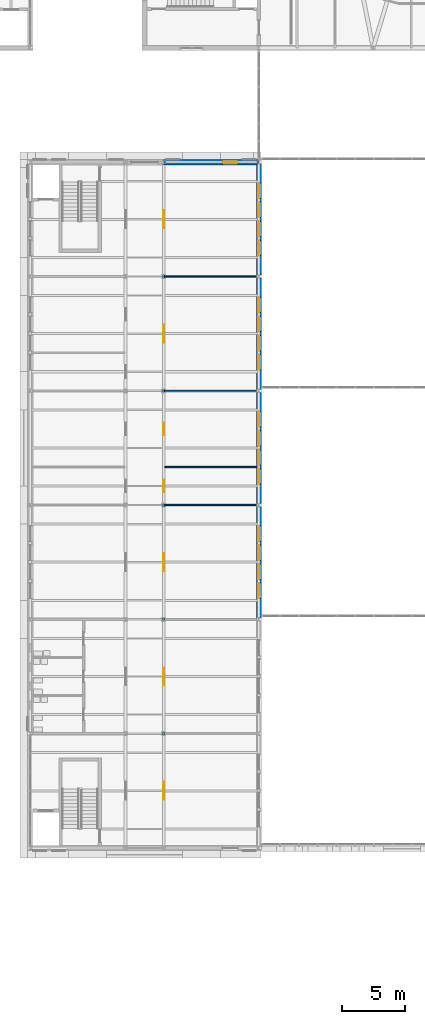
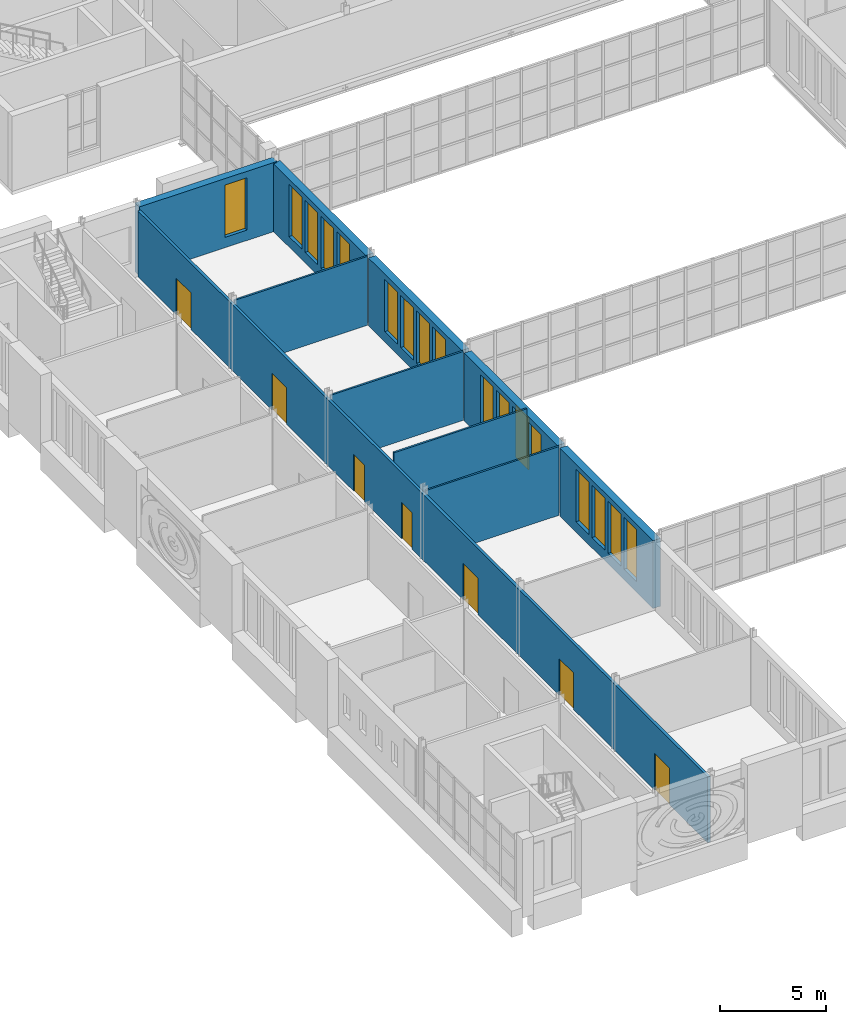
# One storey, part 78 of 131: 17 windows, 10 walls, 7 doors, 24 openings.
"""IFC4 building model written with IfcOpenShell, lengths in metres."""

import ifcopenshell
import ifcopenshell.guid

model = None  # the IFC model being written
_history = None  # IfcOwnerHistory: only IFC2X3 demands one
_inside = {}  # id of a spatial element -> (the spatial element, [elements in it])
_under = {}  # id of a project, library or spatial element -> (it, [spatial elements below it])
_declared = {}  # id of a project -> (the project, [libraries it declares])
_typed = {}  # id of a type object -> (the type object, [elements of that type])
_made_of = {}  # id of a material, layer set ... -> (it, [elements and type objects made of it])


def new_model(schema):
    """Start an empty IFC model of exactly this schema.

    Asked for "IFC4X3", IfcOpenShell would pick the latest addendum, in which some entities
    have other attributes; the version numbers below select the first issue.
    IFC2X3 requires an IfcOwnerHistory on every rooted entity: one is made here for all.
    """
    global model, _history
    if schema == "IFC4X3":
        model = ifcopenshell.file(schema_version=(4, 3, 0, 0))
    else:
        model = ifcopenshell.file(schema=schema)
    _inside.clear()
    _under.clear()
    _declared.clear()
    _typed.clear()
    _made_of.clear()
    _history = None
    if model.schema == "IFC2X3":
        org = make("IfcOrganization", Name="unknown")
        user = make(
            "IfcPersonAndOrganization",
            ThePerson=make("IfcPerson", FamilyName="unknown"),
            TheOrganization=org,
        )
        app = make(
            "IfcApplication",
            ApplicationDeveloper=org,
            Version="unknown",
            ApplicationFullName="unknown",
            ApplicationIdentifier="unknown",
        )
        _history = make(
            "IfcOwnerHistory",
            OwningUser=user,
            OwningApplication=app,
            ChangeAction="ADDED",
            CreationDate=0,
        )
    return model


def make(cls, **values):
    """One entity of the class cls with the attributes given. An attribute that is None is left unset."""
    return model.create_entity(
        cls, **{name: value for name, value in values.items() if value is not None}
    )


def rooted(cls, **values):
    """An entity with a GlobalId (a new one), such as an element, a storey or a relation."""
    return make(cls, GlobalId=ifcopenshell.guid.new(), OwnerHistory=_history, **values)


def si_unit(unit_type, name, prefix=None):
    """IfcSIUnit, for example si_unit("LENGTHUNIT", "METRE", prefix="MILLI")."""
    return make("IfcSIUnit", UnitType=unit_type, Prefix=prefix, Name=name)


def assignment(units):
    """IfcUnitAssignment: the units of a project."""
    return None if units is None else make("IfcUnitAssignment", Units=units)


def point(xyz):
    """IfcCartesianPoint."""
    return None if xyz is None else make("IfcCartesianPoint", Coordinates=xyz)


def direction(xyz):
    """IfcDirection."""
    return None if xyz is None else make("IfcDirection", DirectionRatios=xyz)


def frame(location, z_axis=None, x_axis=None):
    """IfcAxis2Placement3D, a coordinate frame: its origin and axes. An axis left out is left unset."""
    return make(
        "IfcAxis2Placement3D",
        Location=point(location),
        Axis=direction(z_axis),
        RefDirection=direction(x_axis),
    )


def frame_2d(location, x_axis=None):
    """IfcAxis2Placement2D, a coordinate frame in the plane: its origin and x axis."""
    return make(
        "IfcAxis2Placement2D", Location=point(location), RefDirection=direction(x_axis)
    )


def origin():
    """The frame at (0, 0, 0) with its axes left unset."""
    return frame((0.0, 0.0, 0.0))


def place(relative_to, where):
    """IfcLocalPlacement: puts the frame where relative to a parent placement (None: the world)."""
    return make(
        "IfcLocalPlacement", PlacementRelTo=relative_to, RelativePlacement=where
    )


def context(
    kind, dimensions, precision=None, world=None, true_north=None, identifier=None
):
    """IfcGeometricRepresentationContext, for example the 3D "Model" context."""
    return make(
        "IfcGeometricRepresentationContext",
        ContextIdentifier=identifier,
        ContextType=kind,
        CoordinateSpaceDimension=dimensions,
        Precision=precision,
        WorldCoordinateSystem=world,
        TrueNorth=true_north,
    )


def subcontext(parent, identifier, kind, view, scale=None):
    """IfcGeometricRepresentationSubContext, for example "Body" below "Model"."""
    return make(
        "IfcGeometricRepresentationSubContext",
        ContextIdentifier=identifier,
        ContextType=kind,
        ParentContext=parent,
        TargetScale=scale,
        TargetView=view,
    )


def project(units=None, contexts=None):
    """IfcProject with its units and contexts."""
    return rooted(
        "IfcProject",
        Name="project",
        RepresentationContexts=contexts,
        UnitsInContext=assignment(units),
    )


def spatial(cls, under=None, at=None, **own):
    """A site, building, storey or space (cls), placed at a placement, below another one or the project."""
    s = rooted(cls, ObjectPlacement=at, **own)
    if under is not None:
        _under.setdefault(under.id(), (under, []))[1].append(s)
    return s


def profile(cls, at=None, kind="AREA", **sizes):
    """A parametric profile (cls). Its sizes go by their IFC names, for example OverallWidth=200.0."""
    return make(cls, ProfileType=kind, Position=at, **sizes)


def rectangle(**sizes):
    """IfcRectangleProfileDef."""
    return profile("IfcRectangleProfileDef", **sizes)


def extrude(swept, where, along, depth):
    """IfcExtrudedAreaSolid: the profile swept, set in the frame where, extruded along a direction by depth."""
    return make(
        "IfcExtrudedAreaSolid",
        SweptArea=swept,
        Position=where,
        ExtrudedDirection=direction(along),
        Depth=depth,
    )


def shape(context_of_items, identifier, shape_type, items):
    """IfcShapeRepresentation: the items that make up one representation, for example the "Body"."""
    return make(
        "IfcShapeRepresentation",
        ContextOfItems=context_of_items,
        RepresentationIdentifier=identifier,
        RepresentationType=shape_type,
        Items=items,
    )


def material(Name=None, Category=None):
    """IfcMaterial."""
    return make("IfcMaterial", Name=Name, Category=Category)


def layer(
    of_material, thickness, ventilated=None, Name=None, Category=None, Priority=None
):
    """IfcMaterialLayer: one layer of a wall or slab, of a material (None: an air gap)."""
    return make(
        "IfcMaterialLayer",
        Material=of_material,
        LayerThickness=thickness,
        IsVentilated=ventilated,
        Name=Name,
        Category=Category,
        Priority=Priority,
    )


def layer_set(layers, Name=None):
    """IfcMaterialLayerSet."""
    return make("IfcMaterialLayerSet", MaterialLayers=layers, LayerSetName=Name)


def made_of(thing, what):
    """Note that an element or type object is made of a material, layer set ...; save() writes the relation."""
    if what is not None:
        _made_of.setdefault(what.id(), (what, []))[1].append(thing)
    return thing


def type_object(cls, material=None, **own):
    """A type object (cls), such as IfcWallType, which elements share."""
    return made_of(rooted(cls, **own), material)


def element(
    cls,
    number,
    at=None,
    inside=None,
    cuts=None,
    type_object=None,
    material=None,
    context=None,
    identifier="Body",
    shape_type=None,
    held_by="IfcProductDefinitionShape",
    body=None,
    shapes=None,
    **own,
):
    """One element of the class cls, such as IfcWall. Its Tag is "e" and its number.

    at: its placement. inside: the storey or other place that contains it. cuts: it is an
    opening in that element (IfcRelVoidsElement). A single representation is given by context,
    identifier, shape_type and body (its items); several are given by shapes. held_by: the class
    of the entity that holds the representations. save() writes the other relations.
    """
    e = rooted(cls, Tag="e%d" % number, ObjectPlacement=at, **own)
    if body is not None:
        shapes = [shape(context, identifier, shape_type, body)]
    if shapes is not None:
        e.Representation = make(held_by, Representations=shapes)
    if inside is not None:
        _inside.setdefault(inside.id(), (inside, []))[1].append(e)
    if cuts is not None:
        rooted(
            "IfcRelVoidsElement", RelatingBuildingElement=cuts, RelatedOpeningElement=e
        )
    if type_object is not None:
        _typed.setdefault(type_object.id(), (type_object, []))[1].append(e)
    return made_of(e, material)


def fill(opening, filler):
    """IfcRelFillsElement: the door or window that sits in an opening."""
    return rooted(
        "IfcRelFillsElement",
        RelatingOpeningElement=opening,
        RelatedBuildingElement=filler,
    )


def aggregate(whole, parts):
    """IfcRelAggregates: a whole, such as a stair, and the parts it consists of."""
    return rooted("IfcRelAggregates", RelatingObject=whole, RelatedObjects=parts)


def save(model, path):
    """Write the relations noted so far, then the file.

    IfcRelAggregates (storeys below a building ...), IfcRelContainedInSpatialStructure (elements
    in a storey), IfcRelDefinesByType, IfcRelAssociatesMaterial and IfcRelDeclares: one each for
    every whole, place, type object, material and project.
    """
    for whole, parts in _under.values():
        aggregate(whole, parts)
    for where, things in _inside.values():
        rooted(
            "IfcRelContainedInSpatialStructure",
            RelatedElements=things,
            RelatingStructure=where,
        )
    for kind, things in _typed.values():
        rooted("IfcRelDefinesByType", RelatedObjects=things, RelatingType=kind)
    for what, things in _made_of.values():
        rooted("IfcRelAssociatesMaterial", RelatedObjects=things, RelatingMaterial=what)
    for by, libraries in _declared.values():
        rooted("IfcRelDeclares", RelatingContext=by, RelatedDefinitions=libraries)
    model.write(path)


model = new_model("IFC4")

# Units and contexts
model_context = context("Model", 3, precision=1e-05, world=origin(), true_north=direction((0.0, 1.0)))
body_context = subcontext(model_context, "Body", "Model", "MODEL_VIEW")
ifc_project = project(units=[si_unit("LENGTHUNIT", "METRE"), si_unit("AREAUNIT", "SQUARE_METRE"), si_unit("VOLUMEUNIT", "CUBIC_METRE"), si_unit("PLANEANGLEUNIT", "RADIAN"), si_unit("MASSUNIT", "GRAM", prefix="KILO")], contexts=[model_context])

# Site, building, storey
site_placement = place(None, origin())
site = spatial("IfcSite", under=ifc_project, at=site_placement, CompositionType="ELEMENT")
building_placement = place(site_placement, origin())
building = spatial("IfcBuilding", under=site, at=building_placement, Name="Golden Quay Civic Hall", CompositionType="ELEMENT")
storey_placement = place(building_placement, frame((0.0, 0.0, 9.89990234375)))
storey = spatial("IfcBuildingStorey", under=building, at=storey_placement, Name="L02", CompositionType="ELEMENT", Elevation=9.89990234375)

# Walls
ifc_material_1 = material(Name="Plasterboard on steel studs", Category="steel")
ifc_layer_1 = layer(ifc_material_1, 0.10009765625)
ifc_layer_set_1 = layer_set([ifc_layer_1], Name="Partition 100 stud")
wall_type_1 = type_object("IfcWallType", Name="Partition 100 stud", PredefinedType="PARTITIONING", material=ifc_layer_set_1)
wall_1_placement = place(storey_placement, frame((64.574951171875, 27.0, 0.0), z_axis=(0.0, 0.0, 1.0), x_axis=(1.0, 0.0, 0.0)))
element("IfcWall", 1, at=wall_1_placement, inside=storey, type_object=wall_type_1, Name="Partition L02-008", PredefinedType="PARTITIONING", context=body_context, shape_type="SweptSolid", body=[
    extrude(rectangle(XDim=7.22509765625, YDim=0.10009765625, at=frame_2d((3.612548828125, 0.0))), origin(), (0.0, 0.0, 1.0), 3.9501953125),
])
wall_2_placement = place(storey_placement, frame((64.574951171875, 30.0, 0.0), z_axis=(0.0, 0.0, 1.0), x_axis=(1.0, 0.0, 0.0)))
element("IfcWall", 2, at=wall_2_placement, inside=storey, type_object=wall_type_1, Name="Partition L02-009", PredefinedType="PARTITIONING", context=body_context, shape_type="SweptSolid", body=[
    extrude(rectangle(XDim=7.22509765625, YDim=0.10009765625, at=frame_2d((3.612548828125, 0.0))), origin(), (0.0, 0.0, 1.0), 4.300048828125),
])
for number, where, z_axis, x_axis, name in (
    (3, (64.574951171875, 36.0, 0.0), (0.0, 0.0, 1.0), (1.0, 0.0, 0.0), "Partition L02-010"),
    (4, (64.574951171875, 45.0, 0.0), (0.0, 0.0, 1.0), (1.0, 0.0, 0.0), "Partition L02-011"),
):
    element("IfcWall", number, at=place(storey_placement, frame(where, z_axis=z_axis, x_axis=x_axis)), inside=storey, type_object=wall_type_1, Name=name, PredefinedType="PARTITIONING", context=body_context, shape_type="SweptSolid", body=[
        extrude(rectangle(XDim=7.22509765625, YDim=0.10009765625, at=frame_2d((3.612548828125, 0.0))), origin(), (0.0, 0.0, 1.0), 3.9501953125),
    ])

# Wall, openings, doors
ifc_material_2 = material(Name="Plasterboard on steel studs", Category="steel")
ifc_layer_2 = layer(ifc_material_2, 0.14990234375)
ifc_layer_set_2 = layer_set([ifc_layer_2], Name="Partition 150 stud fire EI 60")
wall_type_2 = type_object("IfcWallType", Name="Partition 150 stud fire EI 60", PredefinedType="PARTITIONING", material=ifc_layer_set_2)
wall_3_placement = place(storey_placement, frame((64.5, 0.199951171875, 0.0), z_axis=(0.0, 0.0, 1.0), x_axis=(0.0, 1.0, 0.0)))
wall_3 = element("IfcWall", 5, at=wall_3_placement, inside=storey, type_object=wall_type_2, Name="Partition L02-014", PredefinedType="PARTITIONING", context=body_context, shape_type="SweptSolid", body=[
    extrude(rectangle(XDim=53.60009765625, YDim=0.14990234375, at=frame_2d((26.800048828125, 0.0))), origin(), (0.0, 0.0, 1.0), 3.780029296875),
])
opening_1_placement = place(wall_3_placement, frame((3.60009765625, 0.0, 0.0)))
opening_1 = element("IfcOpeningElement", 6, at=opening_1_placement, cuts=wall_3, Name="Opening L02-D090", PredefinedType="OPENING", context=body_context, shape_type="SweptSolid", body=[
    extrude(rectangle(XDim=1.39990234375, YDim=2.10009765625, at=frame_2d((0.699951171875, 1.050048828125))), frame((0.0, 0.0849609375, 0.0), z_axis=(0.0, -1.0, 0.0), x_axis=(1.0, 0.0, 0.0)), (0.0, 0.0, 1.0), 0.169921875),
])
opening_2_placement = place(wall_3_placement, frame((12.60009765625, 0.0, 0.0)))
opening_2 = element("IfcOpeningElement", 7, at=opening_2_placement, cuts=wall_3, Name="Opening L02-D091", PredefinedType="OPENING", context=body_context, shape_type="SweptSolid", body=[
    extrude(rectangle(XDim=1.39990234375, YDim=2.10009765625, at=frame_2d((0.699951171875, 1.050048828125))), frame((0.0, 0.0849609375, 0.0), z_axis=(0.0, -1.0, 0.0), x_axis=(1.0, 0.0, 0.0)), (0.0, 0.0, 1.0), 0.169921875),
])
opening_3_placement = place(wall_3_placement, frame((21.60009765625, 0.0, 0.0)))
opening_3 = element("IfcOpeningElement", 8, at=opening_3_placement, cuts=wall_3, Name="Opening L02-D092", PredefinedType="OPENING", context=body_context, shape_type="SweptSolid", body=[
    extrude(rectangle(XDim=1.39990234375, YDim=2.10009765625, at=frame_2d((0.699951171875, 1.050048828125))), frame((0.0, 0.0849609375, 0.0), z_axis=(0.0, -1.0, 0.0), x_axis=(1.0, 0.0, 0.0)), (0.0, 0.0, 1.0), 0.169921875),
])
opening_4_placement = place(wall_3_placement, frame((27.800048828125, 0.0, 0.0)))
opening_4 = element("IfcOpeningElement", 9, at=opening_4_placement, cuts=wall_3, Name="Opening L02-D093", PredefinedType="OPENING", context=body_context, shape_type="SweptSolid", body=[
    extrude(rectangle(XDim=1.0, YDim=2.10009765625, at=frame_2d((0.5, 1.050048828125))), frame((0.0, 0.0849609375, 0.0), z_axis=(0.0, -1.0, 0.0), x_axis=(1.0, 0.0, 0.0)), (0.0, 0.0, 1.0), 0.169921875),
])
opening_5_placement = place(wall_3_placement, frame((32.300048828125, 0.0, 0.0)))
opening_5 = element("IfcOpeningElement", 10, at=opening_5_placement, cuts=wall_3, Name="Opening L02-D094", PredefinedType="OPENING", context=body_context, shape_type="SweptSolid", body=[
    extrude(rectangle(XDim=1.0, YDim=2.10009765625, at=frame_2d((0.5, 1.050048828125))), frame((0.0, 0.0849609375, 0.0), z_axis=(0.0, -1.0, 0.0), x_axis=(1.0, 0.0, 0.0)), (0.0, 0.0, 1.0), 0.169921875),
])
opening_6_placement = place(wall_3_placement, frame((39.60009765625, 0.0, 0.0)))
opening_6 = element("IfcOpeningElement", 11, at=opening_6_placement, cuts=wall_3, Name="Opening L02-D095", PredefinedType="OPENING", context=body_context, shape_type="SweptSolid", body=[
    extrude(rectangle(XDim=1.39990234375, YDim=2.10009765625, at=frame_2d((0.699951171875, 1.050048828125))), frame((0.0, 0.0849609375, 0.0), z_axis=(0.0, -1.0, 0.0), x_axis=(1.0, 0.0, 0.0)), (0.0, 0.0, 1.0), 0.169921875),
])
opening_7_placement = place(wall_3_placement, frame((48.60009765625, 0.0, 0.0)))
opening_7 = element("IfcOpeningElement", 12, at=opening_7_placement, cuts=wall_3, Name="Opening L02-D096", PredefinedType="OPENING", context=body_context, shape_type="SweptSolid", body=[
    extrude(rectangle(XDim=1.39990234375, YDim=2.10009765625, at=frame_2d((0.699951171875, 1.050048828125))), frame((0.0, 0.0849609375, 0.0), z_axis=(0.0, -1.0, 0.0), x_axis=(1.0, 0.0, 0.0)), (0.0, 0.0, 1.0), 0.169921875),
])
ifc_material_3 = material(Name="Steel", Category="steel")
door_type_1 = type_object("IfcDoorType", Name="Steel double fire door FD30S 1400 x 2100", OperationType="DOUBLE_DOOR_SINGLE_SWING", PredefinedType="DOOR", material=ifc_material_3)
door_1_placement = place(opening_1_placement, frame((1.39990234375, 0.0, 0.0), z_axis=(0.0, 0.0, 1.0), x_axis=(-1.0, 0.0, 0.0)))
door_1 = element("IfcDoor", 13, at=door_1_placement, inside=storey, type_object=door_type_1, Name="Door L02-D090", OperationType="DOUBLE_DOOR_SINGLE_SWING", OverallHeight=2.10009765625, OverallWidth=1.39990234375, PredefinedType="DOOR", context=body_context, shape_type="SweptSolid", body=[
    extrude(rectangle(XDim=1.39990234375, YDim=2.10009765625, at=frame_2d((0.699951171875, 1.050048828125))), frame((0.0, 0.025146484375, 0.0), z_axis=(0.0, -1.0, 0.0), x_axis=(1.0, 0.0, 0.0)), (0.0, 0.0, 1.0), 0.050048828125),
])
fill(opening_1, door_1)
door_2_placement = place(opening_2_placement, frame((1.39990234375, 0.0, 0.0), z_axis=(0.0, 0.0, 1.0), x_axis=(-1.0, 0.0, 0.0)))
door_2 = element("IfcDoor", 14, at=door_2_placement, inside=storey, type_object=door_type_1, Name="Door L02-D091", OperationType="DOUBLE_DOOR_SINGLE_SWING", OverallHeight=2.10009765625, OverallWidth=1.39990234375, PredefinedType="DOOR", context=body_context, shape_type="SweptSolid", body=[
    extrude(rectangle(XDim=1.39990234375, YDim=2.10009765625, at=frame_2d((0.699951171875, 1.050048828125))), frame((0.0, 0.025146484375, 0.0), z_axis=(0.0, -1.0, 0.0), x_axis=(1.0, 0.0, 0.0)), (0.0, 0.0, 1.0), 0.050048828125),
])
fill(opening_2, door_2)
door_3_placement = place(opening_3_placement, frame((1.39990234375, 0.0, 0.0), z_axis=(0.0, 0.0, 1.0), x_axis=(-1.0, 0.0, 0.0)))
door_3 = element("IfcDoor", 15, at=door_3_placement, inside=storey, type_object=door_type_1, Name="Door L02-D092", OperationType="DOUBLE_DOOR_SINGLE_SWING", OverallHeight=2.10009765625, OverallWidth=1.39990234375, PredefinedType="DOOR", context=body_context, shape_type="SweptSolid", body=[
    extrude(rectangle(XDim=1.39990234375, YDim=2.10009765625, at=frame_2d((0.699951171875, 1.050048828125))), frame((0.0, 0.025146484375, 0.0), z_axis=(0.0, -1.0, 0.0), x_axis=(1.0, 0.0, 0.0)), (0.0, 0.0, 1.0), 0.050048828125),
])
fill(opening_3, door_3)
door_4_placement = place(opening_6_placement, frame((1.39990234375, 0.0, 0.0), z_axis=(0.0, 0.0, 1.0), x_axis=(-1.0, 0.0, 0.0)))
door_4 = element("IfcDoor", 16, at=door_4_placement, inside=storey, type_object=door_type_1, Name="Door L02-D095", OperationType="DOUBLE_DOOR_SINGLE_SWING", OverallHeight=2.10009765625, OverallWidth=1.39990234375, PredefinedType="DOOR", context=body_context, shape_type="SweptSolid", body=[
    extrude(rectangle(XDim=1.39990234375, YDim=2.10009765625, at=frame_2d((0.699951171875, 1.050048828125))), frame((0.0, 0.025146484375, 0.0), z_axis=(0.0, -1.0, 0.0), x_axis=(1.0, 0.0, 0.0)), (0.0, 0.0, 1.0), 0.050048828125),
])
fill(opening_6, door_4)
door_5_placement = place(opening_7_placement, frame((1.39990234375, 0.0, 0.0), z_axis=(0.0, 0.0, 1.0), x_axis=(-1.0, 0.0, 0.0)))
door_5 = element("IfcDoor", 17, at=door_5_placement, inside=storey, type_object=door_type_1, Name="Door L02-D096", OperationType="DOUBLE_DOOR_SINGLE_SWING", OverallHeight=2.10009765625, OverallWidth=1.39990234375, PredefinedType="DOOR", context=body_context, shape_type="SweptSolid", body=[
    extrude(rectangle(XDim=1.39990234375, YDim=2.10009765625, at=frame_2d((0.699951171875, 1.050048828125))), frame((0.0, 0.025146484375, 0.0), z_axis=(0.0, -1.0, 0.0), x_axis=(1.0, 0.0, 0.0)), (0.0, 0.0, 1.0), 0.050048828125),
])
fill(opening_7, door_5)
ifc_material_4 = material(Name="Steel", Category="steel")
door_type_2 = type_object("IfcDoorType", Name="Steel fire door FD30S 1000 x 2100", OperationType="SINGLE_SWING_LEFT", PredefinedType="DOOR", material=ifc_material_4)
door_6_placement = place(opening_4_placement, frame((1.0, 0.0, 0.0), z_axis=(0.0, 0.0, 1.0), x_axis=(-1.0, 0.0, 0.0)))
door_6 = element("IfcDoor", 18, at=door_6_placement, inside=storey, type_object=door_type_2, Name="Door L02-D093", OperationType="SINGLE_SWING_RIGHT", OverallHeight=2.10009765625, OverallWidth=1.0, PredefinedType="DOOR", context=body_context, shape_type="SweptSolid", body=[
    extrude(rectangle(XDim=1.0, YDim=2.10009765625, at=frame_2d((0.5, 1.050048828125))), frame((0.0, 0.025146484375, 0.0), z_axis=(0.0, -1.0, 0.0), x_axis=(1.0, 0.0, 0.0)), (0.0, 0.0, 1.0), 0.050048828125),
])
fill(opening_4, door_6)
door_7_placement = place(opening_5_placement, frame((1.0, 0.0, 0.0), z_axis=(0.0, 0.0, 1.0), x_axis=(-1.0, 0.0, 0.0)))
door_7 = element("IfcDoor", 19, at=door_7_placement, inside=storey, type_object=door_type_2, Name="Door L02-D094", OperationType="SINGLE_SWING_RIGHT", OverallHeight=2.10009765625, OverallWidth=1.0, PredefinedType="DOOR", context=body_context, shape_type="SweptSolid", body=[
    extrude(rectangle(XDim=1.0, YDim=2.10009765625, at=frame_2d((0.5, 1.050048828125))), frame((0.0, 0.025146484375, 0.0), z_axis=(0.0, -1.0, 0.0), x_axis=(1.0, 0.0, 0.0)), (0.0, 0.0, 1.0), 0.050048828125),
])
fill(opening_5, door_7)

# Wall, opening, window
ifc_material_5 = material(Name="Clay block, rendered, cream")
ifc_layer_3 = layer(ifc_material_5, 0.39990234375)
ifc_layer_set_3 = layer_set([ifc_layer_3], Name="Rendered block external wall 400")
wall_type_3 = type_object("IfcWallType", Name="Rendered block external wall 400", PredefinedType="STANDARD", material=ifc_layer_set_3)
wall_4_placement = place(storey_placement, frame((64.5087890625, 54.0, 0.0), z_axis=(0.0, 0.0, 1.0), x_axis=(1.0, 0.0, 0.0)))
wall_4 = element("IfcWall", 20, at=wall_4_placement, inside=storey, type_object=wall_type_3, Name="Rendered block external wall 400 L02 26", PredefinedType="STANDARD", context=body_context, shape_type="SweptSolid", body=[
    extrude(rectangle(XDim=7.482421875, YDim=0.39990234375, at=frame_2d((3.7412109375, 0.0))), origin(), (0.0, 0.0, 1.0), 3.97021484375),
])
opening_8_placement = place(wall_4_placement, frame((4.641357421875, 0.0, 0.60009765625)))
opening_8 = element("IfcOpeningElement", 21, at=opening_8_placement, cuts=wall_4, Name="Opening WN5", PredefinedType="OPENING", context=body_context, shape_type="SweptSolid", body=[
    extrude(rectangle(XDim=1.199951171875, YDim=3.0, at=frame_2d((0.60009765625, 1.5))), frame((0.0, 0.2099609375, 0.0), z_axis=(0.0, -1.0, 0.0), x_axis=(1.0, 0.0, 0.0)), (0.0, 0.0, 1.0), 0.419921875),
])
ifc_material_6 = material(Name="Aluminium frame, double glazed", Category="aluminium")
window_type = type_object("IfcWindowType", Name="Golden grid window 1200 x 3000", PartitioningType="SINGLE_PANEL", PredefinedType="WINDOW", material=ifc_material_6)
window_1_placement = place(opening_8_placement, origin())
window_1 = element("IfcWindow", 22, at=window_1_placement, inside=storey, type_object=window_type, Name="Golden grid window 1200 x 3000 L02 49", OverallHeight=3.0, OverallWidth=1.199951171875, PartitioningType="SINGLE_PANEL", PredefinedType="WINDOW", context=body_context, shape_type="SweptSolid", body=[
    extrude(rectangle(XDim=1.199951171875, YDim=3.0, at=frame_2d((0.60009765625, 1.5))), frame((0.0, 0.030029296875, 0.0), z_axis=(0.0, -1.0, 0.0), x_axis=(1.0, 0.0, 0.0)), (0.0, 0.0, 1.0), 0.06005859375),
])
fill(opening_8, window_1)

# Wall, openings, windows
wall_5_placement = place(storey_placement, frame((72.0, 26.885009765625, 0.0), z_axis=(0.0, 0.0, 1.0), x_axis=(0.0, -1.0, 0.0)))
wall_5 = element("IfcWall", 23, at=wall_5_placement, inside=storey, type_object=wall_type_3, Name="Rendered block external wall 400 L02 29", PredefinedType="STANDARD", context=body_context, shape_type="SweptSolid", body=[
    extrude(rectangle(XDim=8.77001953125, YDim=0.39990234375, at=frame_2d((4.385009765625, 0.0))), origin(), (0.0, 0.0, 1.0), 3.900146484375),
])
opening_9_placement = place(wall_5_placement, frame((6.034912109375, 0.0, 0.60009765625)))
opening_9 = element("IfcOpeningElement", 24, at=opening_9_placement, cuts=wall_5, Name="Opening WN5", PredefinedType="OPENING", context=body_context, shape_type="SweptSolid", body=[
    extrude(rectangle(XDim=1.199951171875, YDim=3.0, at=frame_2d((0.60009765625, 1.5))), frame((0.0, 0.2099609375, 0.0), z_axis=(0.0, -1.0, 0.0), x_axis=(1.0, 0.0, 0.0)), (0.0, 0.0, 1.0), 0.419921875),
])
opening_10_placement = place(wall_5_placement, frame((4.534912109375, 0.0, 0.60009765625)))
opening_10 = element("IfcOpeningElement", 25, at=opening_10_placement, cuts=wall_5, Name="Opening WN5", PredefinedType="OPENING", context=body_context, shape_type="SweptSolid", body=[
    extrude(rectangle(XDim=1.199951171875, YDim=3.0, at=frame_2d((0.60009765625, 1.5))), frame((0.0, 0.2099609375, 0.0), z_axis=(0.0, -1.0, 0.0), x_axis=(1.0, 0.0, 0.0)), (0.0, 0.0, 1.0), 0.419921875),
])
opening_11_placement = place(wall_5_placement, frame((3.034912109375, 0.0, 0.60009765625)))
opening_11 = element("IfcOpeningElement", 26, at=opening_11_placement, cuts=wall_5, Name="Opening WN5", PredefinedType="OPENING", context=body_context, shape_type="SweptSolid", body=[
    extrude(rectangle(XDim=1.199951171875, YDim=3.0, at=frame_2d((0.60009765625, 1.5))), frame((0.0, 0.2099609375, 0.0), z_axis=(0.0, -1.0, 0.0), x_axis=(1.0, 0.0, 0.0)), (0.0, 0.0, 1.0), 0.419921875),
])
opening_12_placement = place(wall_5_placement, frame((1.534912109375, 0.0, 0.60009765625)))
opening_12 = element("IfcOpeningElement", 27, at=opening_12_placement, cuts=wall_5, Name="Opening WN5", PredefinedType="OPENING", context=body_context, shape_type="SweptSolid", body=[
    extrude(rectangle(XDim=1.199951171875, YDim=3.0, at=frame_2d((0.60009765625, 1.5))), frame((0.0, 0.2099609375, 0.0), z_axis=(0.0, -1.0, 0.0), x_axis=(1.0, 0.0, 0.0)), (0.0, 0.0, 1.0), 0.419921875),
])
window_2_placement = place(opening_9_placement, origin())
window_2 = element("IfcWindow", 28, at=window_2_placement, inside=storey, type_object=window_type, Name="Golden grid window 1200 x 3000 L02 58", OverallHeight=3.0, OverallWidth=1.199951171875, PartitioningType="SINGLE_PANEL", PredefinedType="WINDOW", context=body_context, shape_type="SweptSolid", body=[
    extrude(rectangle(XDim=1.199951171875, YDim=3.0, at=frame_2d((0.60009765625, 1.5))), frame((0.0, 0.030029296875, 0.0), z_axis=(0.0, -1.0, 0.0), x_axis=(1.0, 0.0, 0.0)), (0.0, 0.0, 1.0), 0.06005859375),
])
fill(opening_9, window_2)
window_3_placement = place(opening_10_placement, origin())
window_3 = element("IfcWindow", 29, at=window_3_placement, inside=storey, type_object=window_type, Name="Golden grid window 1200 x 3000 L02 59", OverallHeight=3.0, OverallWidth=1.199951171875, PartitioningType="SINGLE_PANEL", PredefinedType="WINDOW", context=body_context, shape_type="SweptSolid", body=[
    extrude(rectangle(XDim=1.199951171875, YDim=3.0, at=frame_2d((0.60009765625, 1.5))), frame((0.0, 0.030029296875, 0.0), z_axis=(0.0, -1.0, 0.0), x_axis=(1.0, 0.0, 0.0)), (0.0, 0.0, 1.0), 0.06005859375),
])
fill(opening_10, window_3)
window_4_placement = place(opening_11_placement, origin())
window_4 = element("IfcWindow", 30, at=window_4_placement, inside=storey, type_object=window_type, Name="Golden grid window 1200 x 3000 L02 60", OverallHeight=3.0, OverallWidth=1.199951171875, PartitioningType="SINGLE_PANEL", PredefinedType="WINDOW", context=body_context, shape_type="SweptSolid", body=[
    extrude(rectangle(XDim=1.199951171875, YDim=3.0, at=frame_2d((0.60009765625, 1.5))), frame((0.0, 0.030029296875, 0.0), z_axis=(0.0, -1.0, 0.0), x_axis=(1.0, 0.0, 0.0)), (0.0, 0.0, 1.0), 0.06005859375),
])
fill(opening_11, window_4)
window_5_placement = place(opening_12_placement, origin())
window_5 = element("IfcWindow", 31, at=window_5_placement, inside=storey, type_object=window_type, Name="Golden grid window 1200 x 3000 L02 61", OverallHeight=3.0, OverallWidth=1.199951171875, PartitioningType="SINGLE_PANEL", PredefinedType="WINDOW", context=body_context, shape_type="SweptSolid", body=[
    extrude(rectangle(XDim=1.199951171875, YDim=3.0, at=frame_2d((0.60009765625, 1.5))), frame((0.0, 0.030029296875, 0.0), z_axis=(0.0, -1.0, 0.0), x_axis=(1.0, 0.0, 0.0)), (0.0, 0.0, 1.0), 0.06005859375),
])
fill(opening_12, window_5)

wall_6_placement = place(storey_placement, frame((72.0, 35.885009765625, 0.0), z_axis=(0.0, 0.0, 1.0), x_axis=(0.0, -1.0, 0.0)))
wall_6 = element("IfcWall", 32, at=wall_6_placement, inside=storey, type_object=wall_type_3, Name="Rendered block external wall 400 L02 30", PredefinedType="STANDARD", context=body_context, shape_type="SweptSolid", body=[
    extrude(rectangle(XDim=8.77001953125, YDim=0.39990234375, at=frame_2d((4.385009765625, 0.0))), origin(), (0.0, 0.0, 1.0), 3.900146484375),
])
opening_13_placement = place(wall_6_placement, frame((6.034912109375, 0.0, 0.60009765625)))
opening_13 = element("IfcOpeningElement", 33, at=opening_13_placement, cuts=wall_6, Name="Opening WN5", PredefinedType="OPENING", context=body_context, shape_type="SweptSolid", body=[
    extrude(rectangle(XDim=1.199951171875, YDim=3.0, at=frame_2d((0.60009765625, 1.5))), frame((0.0, 0.2099609375, 0.0), z_axis=(0.0, -1.0, 0.0), x_axis=(1.0, 0.0, 0.0)), (0.0, 0.0, 1.0), 0.419921875),
])
opening_14_placement = place(wall_6_placement, frame((4.534912109375, 0.0, 0.60009765625)))
opening_14 = element("IfcOpeningElement", 34, at=opening_14_placement, cuts=wall_6, Name="Opening WN5", PredefinedType="OPENING", context=body_context, shape_type="SweptSolid", body=[
    extrude(rectangle(XDim=1.199951171875, YDim=3.0, at=frame_2d((0.60009765625, 1.5))), frame((0.0, 0.2099609375, 0.0), z_axis=(0.0, -1.0, 0.0), x_axis=(1.0, 0.0, 0.0)), (0.0, 0.0, 1.0), 0.419921875),
])
opening_15_placement = place(wall_6_placement, frame((3.034912109375, 0.0, 0.60009765625)))
opening_15 = element("IfcOpeningElement", 35, at=opening_15_placement, cuts=wall_6, Name="Opening WN5", PredefinedType="OPENING", context=body_context, shape_type="SweptSolid", body=[
    extrude(rectangle(XDim=1.199951171875, YDim=3.0, at=frame_2d((0.60009765625, 1.5))), frame((0.0, 0.2099609375, 0.0), z_axis=(0.0, -1.0, 0.0), x_axis=(1.0, 0.0, 0.0)), (0.0, 0.0, 1.0), 0.419921875),
])
opening_16_placement = place(wall_6_placement, frame((1.534912109375, 0.0, 0.60009765625)))
opening_16 = element("IfcOpeningElement", 36, at=opening_16_placement, cuts=wall_6, Name="Opening WN5", PredefinedType="OPENING", context=body_context, shape_type="SweptSolid", body=[
    extrude(rectangle(XDim=1.199951171875, YDim=3.0, at=frame_2d((0.60009765625, 1.5))), frame((0.0, 0.2099609375, 0.0), z_axis=(0.0, -1.0, 0.0), x_axis=(1.0, 0.0, 0.0)), (0.0, 0.0, 1.0), 0.419921875),
])
window_6_placement = place(opening_13_placement, origin())
window_6 = element("IfcWindow", 37, at=window_6_placement, inside=storey, type_object=window_type, Name="Golden grid window 1200 x 3000 L02 62", OverallHeight=3.0, OverallWidth=1.199951171875, PartitioningType="SINGLE_PANEL", PredefinedType="WINDOW", context=body_context, shape_type="SweptSolid", body=[
    extrude(rectangle(XDim=1.199951171875, YDim=3.0, at=frame_2d((0.60009765625, 1.5))), frame((0.0, 0.030029296875, 0.0), z_axis=(0.0, -1.0, 0.0), x_axis=(1.0, 0.0, 0.0)), (0.0, 0.0, 1.0), 0.06005859375),
])
fill(opening_13, window_6)
window_7_placement = place(opening_14_placement, origin())
window_7 = element("IfcWindow", 38, at=window_7_placement, inside=storey, type_object=window_type, Name="Golden grid window 1200 x 3000 L02 63", OverallHeight=3.0, OverallWidth=1.199951171875, PartitioningType="SINGLE_PANEL", PredefinedType="WINDOW", context=body_context, shape_type="SweptSolid", body=[
    extrude(rectangle(XDim=1.199951171875, YDim=3.0, at=frame_2d((0.60009765625, 1.5))), frame((0.0, 0.030029296875, 0.0), z_axis=(0.0, -1.0, 0.0), x_axis=(1.0, 0.0, 0.0)), (0.0, 0.0, 1.0), 0.06005859375),
])
fill(opening_14, window_7)
window_8_placement = place(opening_15_placement, origin())
window_8 = element("IfcWindow", 39, at=window_8_placement, inside=storey, type_object=window_type, Name="Golden grid window 1200 x 3000 L02 64", OverallHeight=3.0, OverallWidth=1.199951171875, PartitioningType="SINGLE_PANEL", PredefinedType="WINDOW", context=body_context, shape_type="SweptSolid", body=[
    extrude(rectangle(XDim=1.199951171875, YDim=3.0, at=frame_2d((0.60009765625, 1.5))), frame((0.0, 0.030029296875, 0.0), z_axis=(0.0, -1.0, 0.0), x_axis=(1.0, 0.0, 0.0)), (0.0, 0.0, 1.0), 0.06005859375),
])
fill(opening_15, window_8)
window_9_placement = place(opening_16_placement, origin())
window_9 = element("IfcWindow", 40, at=window_9_placement, inside=storey, type_object=window_type, Name="Golden grid window 1200 x 3000 L02 65", OverallHeight=3.0, OverallWidth=1.199951171875, PartitioningType="SINGLE_PANEL", PredefinedType="WINDOW", context=body_context, shape_type="SweptSolid", body=[
    extrude(rectangle(XDim=1.199951171875, YDim=3.0, at=frame_2d((0.60009765625, 1.5))), frame((0.0, 0.030029296875, 0.0), z_axis=(0.0, -1.0, 0.0), x_axis=(1.0, 0.0, 0.0)), (0.0, 0.0, 1.0), 0.06005859375),
])
fill(opening_16, window_9)

wall_7_placement = place(storey_placement, frame((72.0, 44.885009765625, 0.0), z_axis=(0.0, 0.0, 1.0), x_axis=(0.0, -1.0, 0.0)))
wall_7 = element("IfcWall", 41, at=wall_7_placement, inside=storey, type_object=wall_type_3, Name="Rendered block external wall 400 L02 31", PredefinedType="STANDARD", context=body_context, shape_type="SweptSolid", body=[
    extrude(rectangle(XDim=8.77001953125, YDim=0.39990234375, at=frame_2d((4.385009765625, 0.0))), origin(), (0.0, 0.0, 1.0), 3.900146484375),
])
opening_17_placement = place(wall_7_placement, frame((6.034912109375, 0.0, 0.60009765625)))
opening_17 = element("IfcOpeningElement", 42, at=opening_17_placement, cuts=wall_7, Name="Opening WN5", PredefinedType="OPENING", context=body_context, shape_type="SweptSolid", body=[
    extrude(rectangle(XDim=1.199951171875, YDim=3.0, at=frame_2d((0.60009765625, 1.5))), frame((0.0, 0.2099609375, 0.0), z_axis=(0.0, -1.0, 0.0), x_axis=(1.0, 0.0, 0.0)), (0.0, 0.0, 1.0), 0.419921875),
])
opening_18_placement = place(wall_7_placement, frame((4.534912109375, 0.0, 0.60009765625)))
opening_18 = element("IfcOpeningElement", 43, at=opening_18_placement, cuts=wall_7, Name="Opening WN5", PredefinedType="OPENING", context=body_context, shape_type="SweptSolid", body=[
    extrude(rectangle(XDim=1.199951171875, YDim=3.0, at=frame_2d((0.60009765625, 1.5))), frame((0.0, 0.2099609375, 0.0), z_axis=(0.0, -1.0, 0.0), x_axis=(1.0, 0.0, 0.0)), (0.0, 0.0, 1.0), 0.419921875),
])
opening_19_placement = place(wall_7_placement, frame((3.034912109375, 0.0, 0.60009765625)))
opening_19 = element("IfcOpeningElement", 44, at=opening_19_placement, cuts=wall_7, Name="Opening WN5", PredefinedType="OPENING", context=body_context, shape_type="SweptSolid", body=[
    extrude(rectangle(XDim=1.199951171875, YDim=3.0, at=frame_2d((0.60009765625, 1.5))), frame((0.0, 0.2099609375, 0.0), z_axis=(0.0, -1.0, 0.0), x_axis=(1.0, 0.0, 0.0)), (0.0, 0.0, 1.0), 0.419921875),
])
opening_20_placement = place(wall_7_placement, frame((1.534912109375, 0.0, 0.60009765625)))
opening_20 = element("IfcOpeningElement", 45, at=opening_20_placement, cuts=wall_7, Name="Opening WN5", PredefinedType="OPENING", context=body_context, shape_type="SweptSolid", body=[
    extrude(rectangle(XDim=1.199951171875, YDim=3.0, at=frame_2d((0.60009765625, 1.5))), frame((0.0, 0.2099609375, 0.0), z_axis=(0.0, -1.0, 0.0), x_axis=(1.0, 0.0, 0.0)), (0.0, 0.0, 1.0), 0.419921875),
])
window_10_placement = place(opening_17_placement, origin())
window_10 = element("IfcWindow", 46, at=window_10_placement, inside=storey, type_object=window_type, Name="Golden grid window 1200 x 3000 L02 66", OverallHeight=3.0, OverallWidth=1.199951171875, PartitioningType="SINGLE_PANEL", PredefinedType="WINDOW", context=body_context, shape_type="SweptSolid", body=[
    extrude(rectangle(XDim=1.199951171875, YDim=3.0, at=frame_2d((0.60009765625, 1.5))), frame((0.0, 0.030029296875, 0.0), z_axis=(0.0, -1.0, 0.0), x_axis=(1.0, 0.0, 0.0)), (0.0, 0.0, 1.0), 0.06005859375),
])
fill(opening_17, window_10)
window_11_placement = place(opening_18_placement, origin())
window_11 = element("IfcWindow", 47, at=window_11_placement, inside=storey, type_object=window_type, Name="Golden grid window 1200 x 3000 L02 67", OverallHeight=3.0, OverallWidth=1.199951171875, PartitioningType="SINGLE_PANEL", PredefinedType="WINDOW", context=body_context, shape_type="SweptSolid", body=[
    extrude(rectangle(XDim=1.199951171875, YDim=3.0, at=frame_2d((0.60009765625, 1.5))), frame((0.0, 0.030029296875, 0.0), z_axis=(0.0, -1.0, 0.0), x_axis=(1.0, 0.0, 0.0)), (0.0, 0.0, 1.0), 0.06005859375),
])
fill(opening_18, window_11)
window_12_placement = place(opening_19_placement, origin())
window_12 = element("IfcWindow", 48, at=window_12_placement, inside=storey, type_object=window_type, Name="Golden grid window 1200 x 3000 L02 68", OverallHeight=3.0, OverallWidth=1.199951171875, PartitioningType="SINGLE_PANEL", PredefinedType="WINDOW", context=body_context, shape_type="SweptSolid", body=[
    extrude(rectangle(XDim=1.199951171875, YDim=3.0, at=frame_2d((0.60009765625, 1.5))), frame((0.0, 0.030029296875, 0.0), z_axis=(0.0, -1.0, 0.0), x_axis=(1.0, 0.0, 0.0)), (0.0, 0.0, 1.0), 0.06005859375),
])
fill(opening_19, window_12)
window_13_placement = place(opening_20_placement, origin())
window_13 = element("IfcWindow", 49, at=window_13_placement, inside=storey, type_object=window_type, Name="Golden grid window 1200 x 3000 L02 69", OverallHeight=3.0, OverallWidth=1.199951171875, PartitioningType="SINGLE_PANEL", PredefinedType="WINDOW", context=body_context, shape_type="SweptSolid", body=[
    extrude(rectangle(XDim=1.199951171875, YDim=3.0, at=frame_2d((0.60009765625, 1.5))), frame((0.0, 0.030029296875, 0.0), z_axis=(0.0, -1.0, 0.0), x_axis=(1.0, 0.0, 0.0)), (0.0, 0.0, 1.0), 0.06005859375),
])
fill(opening_20, window_13)

wall_8_placement = place(storey_placement, frame((72.0, 53.885009765625, 0.0), z_axis=(0.0, 0.0, 1.0), x_axis=(0.0, -1.0, 0.0)))
wall_8 = element("IfcWall", 50, at=wall_8_placement, inside=storey, type_object=wall_type_3, Name="Rendered block external wall 400 L02 32", PredefinedType="STANDARD", context=body_context, shape_type="SweptSolid", body=[
    extrude(rectangle(XDim=8.77001953125, YDim=0.39990234375, at=frame_2d((4.385009765625, 0.0))), origin(), (0.0, 0.0, 1.0), 3.900146484375),
])
opening_21_placement = place(wall_8_placement, frame((6.034912109375, 0.0, 0.60009765625)))
opening_21 = element("IfcOpeningElement", 51, at=opening_21_placement, cuts=wall_8, Name="Opening WN5", PredefinedType="OPENING", context=body_context, shape_type="SweptSolid", body=[
    extrude(rectangle(XDim=1.199951171875, YDim=3.0, at=frame_2d((0.60009765625, 1.5))), frame((0.0, 0.2099609375, 0.0), z_axis=(0.0, -1.0, 0.0), x_axis=(1.0, 0.0, 0.0)), (0.0, 0.0, 1.0), 0.419921875),
])
opening_22_placement = place(wall_8_placement, frame((4.534912109375, 0.0, 0.60009765625)))
opening_22 = element("IfcOpeningElement", 52, at=opening_22_placement, cuts=wall_8, Name="Opening WN5", PredefinedType="OPENING", context=body_context, shape_type="SweptSolid", body=[
    extrude(rectangle(XDim=1.199951171875, YDim=3.0, at=frame_2d((0.60009765625, 1.5))), frame((0.0, 0.2099609375, 0.0), z_axis=(0.0, -1.0, 0.0), x_axis=(1.0, 0.0, 0.0)), (0.0, 0.0, 1.0), 0.419921875),
])
opening_23_placement = place(wall_8_placement, frame((3.034912109375, 0.0, 0.60009765625)))
opening_23 = element("IfcOpeningElement", 53, at=opening_23_placement, cuts=wall_8, Name="Opening WN5", PredefinedType="OPENING", context=body_context, shape_type="SweptSolid", body=[
    extrude(rectangle(XDim=1.199951171875, YDim=3.0, at=frame_2d((0.60009765625, 1.5))), frame((0.0, 0.2099609375, 0.0), z_axis=(0.0, -1.0, 0.0), x_axis=(1.0, 0.0, 0.0)), (0.0, 0.0, 1.0), 0.419921875),
])
opening_24_placement = place(wall_8_placement, frame((1.534912109375, 0.0, 0.60009765625)))
opening_24 = element("IfcOpeningElement", 54, at=opening_24_placement, cuts=wall_8, Name="Opening WN5", PredefinedType="OPENING", context=body_context, shape_type="SweptSolid", body=[
    extrude(rectangle(XDim=1.199951171875, YDim=3.0, at=frame_2d((0.60009765625, 1.5))), frame((0.0, 0.2099609375, 0.0), z_axis=(0.0, -1.0, 0.0), x_axis=(1.0, 0.0, 0.0)), (0.0, 0.0, 1.0), 0.419921875),
])
window_14_placement = place(opening_21_placement, origin())
window_14 = element("IfcWindow", 55, at=window_14_placement, inside=storey, type_object=window_type, Name="Golden grid window 1200 x 3000 L02 70", OverallHeight=3.0, OverallWidth=1.199951171875, PartitioningType="SINGLE_PANEL", PredefinedType="WINDOW", context=body_context, shape_type="SweptSolid", body=[
    extrude(rectangle(XDim=1.199951171875, YDim=3.0, at=frame_2d((0.60009765625, 1.5))), frame((0.0, 0.030029296875, 0.0), z_axis=(0.0, -1.0, 0.0), x_axis=(1.0, 0.0, 0.0)), (0.0, 0.0, 1.0), 0.06005859375),
])
fill(opening_21, window_14)
window_15_placement = place(opening_22_placement, origin())
window_15 = element("IfcWindow", 56, at=window_15_placement, inside=storey, type_object=window_type, Name="Golden grid window 1200 x 3000 L02 71", OverallHeight=3.0, OverallWidth=1.199951171875, PartitioningType="SINGLE_PANEL", PredefinedType="WINDOW", context=body_context, shape_type="SweptSolid", body=[
    extrude(rectangle(XDim=1.199951171875, YDim=3.0, at=frame_2d((0.60009765625, 1.5))), frame((0.0, 0.030029296875, 0.0), z_axis=(0.0, -1.0, 0.0), x_axis=(1.0, 0.0, 0.0)), (0.0, 0.0, 1.0), 0.06005859375),
])
fill(opening_22, window_15)
window_16_placement = place(opening_23_placement, origin())
window_16 = element("IfcWindow", 57, at=window_16_placement, inside=storey, type_object=window_type, Name="Golden grid window 1200 x 3000 L02 72", OverallHeight=3.0, OverallWidth=1.199951171875, PartitioningType="SINGLE_PANEL", PredefinedType="WINDOW", context=body_context, shape_type="SweptSolid", body=[
    extrude(rectangle(XDim=1.199951171875, YDim=3.0, at=frame_2d((0.60009765625, 1.5))), frame((0.0, 0.030029296875, 0.0), z_axis=(0.0, -1.0, 0.0), x_axis=(1.0, 0.0, 0.0)), (0.0, 0.0, 1.0), 0.06005859375),
])
fill(opening_23, window_16)
window_17_placement = place(opening_24_placement, origin())
window_17 = element("IfcWindow", 58, at=window_17_placement, inside=storey, type_object=window_type, Name="Golden grid window 1200 x 3000 L02 73", OverallHeight=3.0, OverallWidth=1.199951171875, PartitioningType="SINGLE_PANEL", PredefinedType="WINDOW", context=body_context, shape_type="SweptSolid", body=[
    extrude(rectangle(XDim=1.199951171875, YDim=3.0, at=frame_2d((0.60009765625, 1.5))), frame((0.0, 0.030029296875, 0.0), z_axis=(0.0, -1.0, 0.0), x_axis=(1.0, 0.0, 0.0)), (0.0, 0.0, 1.0), 0.06005859375),
])
fill(opening_24, window_17)

save(model, "model.ifc")
